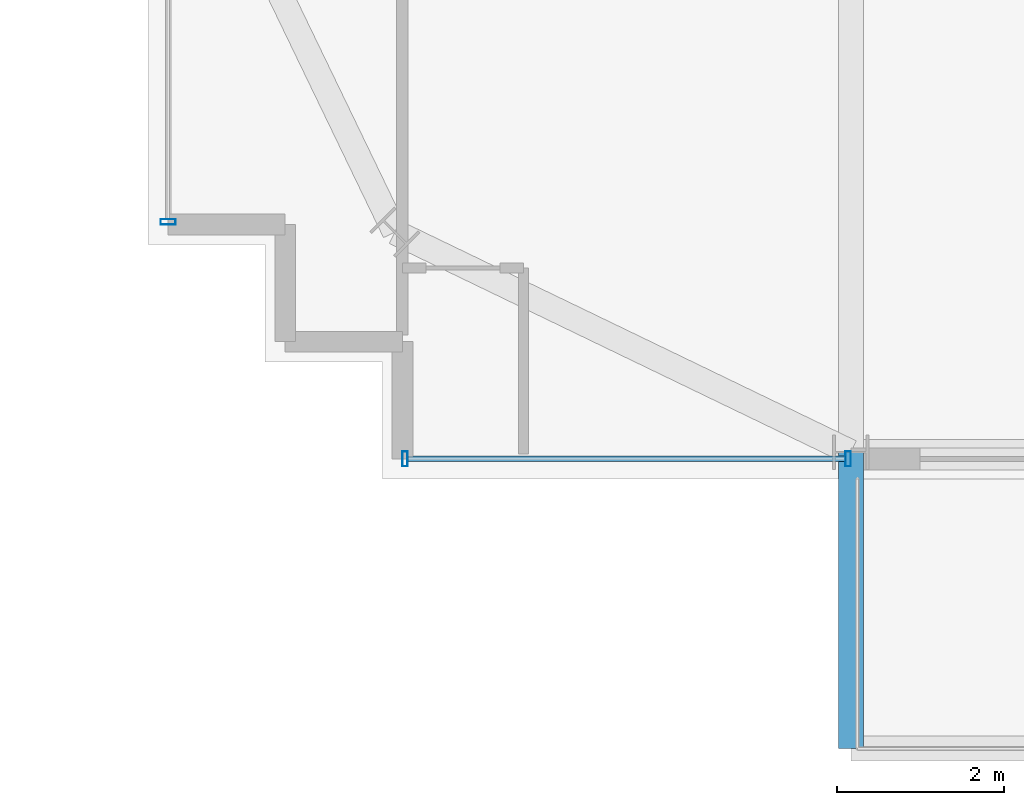
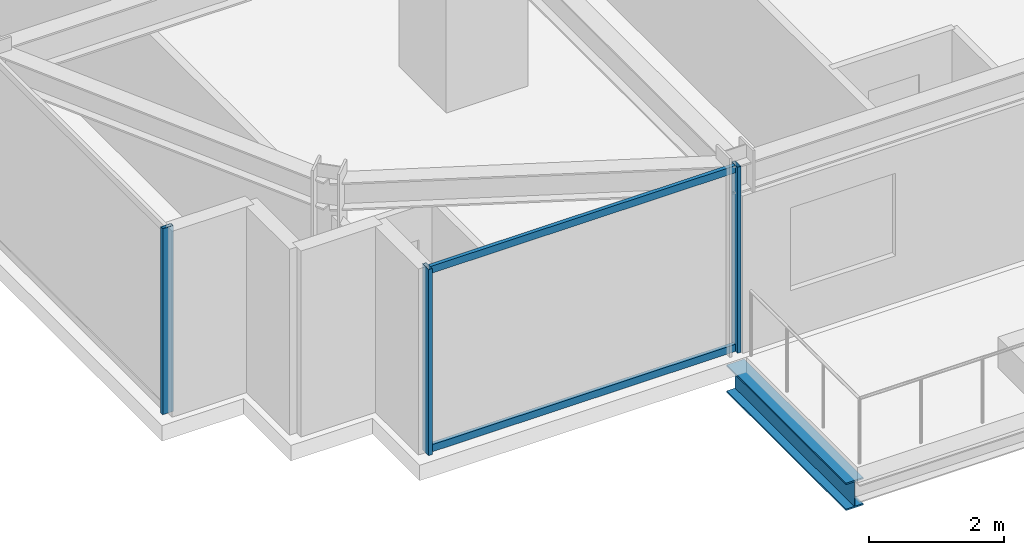
# One storey, part 3 of 37: 5 members, 1 beam, 2 elements without a shape of their own.
"""IFC4 building model written with IfcOpenShell, lengths in metres."""

from ifc_helpers import new_model, si_unit, direction, frame, origin, origin_2d, place, context, subcontext, project, spatial, hollow_rectangle, i_section, extrude, source, transform, mapped, material, material_profile, profile_set, type_object, element, aggregate, save


model = new_model("IFC4")

# Units and contexts
model_context = context("Model", 3, precision=1e-05, world=origin(), true_north=direction((0.0, 1.0)))
body_context = subcontext(model_context, "Body", "Model", "MODEL_VIEW")
ifc_project = project(units=[si_unit("LENGTHUNIT", "METRE"), si_unit("AREAUNIT", "SQUARE_METRE"), si_unit("VOLUMEUNIT", "CUBIC_METRE"), si_unit("PLANEANGLEUNIT", "RADIAN"), si_unit("MASSUNIT", "GRAM", prefix="KILO")], contexts=[model_context])

# Site, building, storey
site_placement = place(None, origin())
site = spatial("IfcSite", under=ifc_project, at=site_placement, CompositionType="ELEMENT")
building_placement = place(site_placement, origin())
building = spatial("IfcBuilding", under=site, at=building_placement, Name="Nahalor Promenade Grand Hotel", CompositionType="ELEMENT")
storey_placement = place(building_placement, frame((0.0, 0.0, 36.050048828125)))
storey = spatial("IfcBuildingStorey", under=building, at=storey_placement, Name="L07", CompositionType="ELEMENT", Elevation=36.050048828125)

# Beam
ifc_material_1 = material(Name="Steel S355JR", Category="steel")
ifc_material_profile_1 = material_profile(ifc_material_1, i_section(OverallWidth=0.3, OverallDepth=0.5, WebThickness=0.0145, FlangeThickness=0.028, at=origin_2d()), Name="HEB 500")
ifc_profile_set_1 = profile_set([ifc_material_profile_1], Name="Steel S355JR")
beam_type = type_object("IfcBeamType", Name="Beam-Outrigger-HEB500", PredefinedType="BEAM", material=ifc_profile_set_1)
shared_shape_1 = source(origin(), body_context, "Body", "SweptSolid", [
    extrude(i_section(OverallWidth=0.3, OverallDepth=0.5, WebThickness=0.0145, FlangeThickness=0.028, at=origin_2d()), origin(), (0.0, 0.0, 1.0), 3.5400390625),
])
beam_placement = place(storey_placement, frame((-17.0, -28.6201171875, -0.530029296875), z_axis=(0.0, 1.0, 0.0), x_axis=(-1.0, 0.0, 0.0)))
element("IfcBeam", 1, at=beam_placement, inside=storey, type_object=beam_type, Name="BM-L07-BC-01-1", PredefinedType="BEAM", context=body_context, shape_type="MappedRepresentation", body=[
    mapped(shared_shape_1, transform((0.0, 0.0, 0.0), scale=1.0)),
])

# Curtain wall, members
ifc_material_2 = material(Name="Anodised Bronze Aluminium EN AW-6063 T6", Category="aluminium")
curtain_wall_type = type_object("IfcCurtainWallType", Name="CW2 Typical Hotel Flush Bronze Unitised Curtain Wall", PredefinedType="USERDEFINED", material=ifc_material_2)
curtain_wall_1_placement = place(storey_placement, origin())
curtain_wall_1 = element("IfcCurtainWall", 2, at=curtain_wall_1_placement, inside=storey, type_object=curtain_wall_type, Name="L07 Curtain Wall CW-L07-S-1", ObjectType="UNITISED_CURTAIN_WALL", PredefinedType="USERDEFINED")
ifc_material_profile_2 = material_profile(ifc_material_2, hollow_rectangle(XDim=0.065, YDim=0.13, WallThickness=0.004, at=origin_2d()), Name="CWT 65x130x4")
ifc_profile_set_2 = profile_set([ifc_material_profile_2], Name="Anodised Bronze Aluminium EN AW-6063 T6")
member_type_1 = type_object("IfcMemberType", Name="CWT2 Typical Bronze Transom 65x130", PredefinedType="USERDEFINED", material=ifc_profile_set_2)
shared_shape_2 = source(origin(), body_context, "Body", "SweptSolid", [
    extrude(hollow_rectangle(XDim=0.065, YDim=0.13, WallThickness=0.004, at=origin_2d()), origin(), (0.0, 0.0, 1.0), 5.22998046875),
])
member_1_placement = place(storey_placement, frame((-22.294921875, -25.159912109375, 0.06494140625), z_axis=(1.0, 0.0, 0.0), x_axis=(0.0, 1.0, 0.0)))
member_1 = element("IfcMember", 3, at=member_1_placement, type_object=member_type_1, Name="CW-L07-S-1 Transom 0-0", ObjectType="TRANSOM", PredefinedType="USERDEFINED", context=body_context, shape_type="MappedRepresentation", body=[
    mapped(shared_shape_2, transform((0.0, 0.0, 0.0), scale=1.0)),
])
member_2_placement = place(storey_placement, frame((-22.294921875, -25.159912109375, 3.304931640625), z_axis=(1.0, 0.0, 0.0), x_axis=(0.0, 1.0, 0.0)))
member_2 = element("IfcMember", 4, at=member_2_placement, type_object=member_type_1, Name="CW-L07-S-1 Transom 0-1", ObjectType="TRANSOM", PredefinedType="USERDEFINED", context=body_context, shape_type="MappedRepresentation", body=[
    mapped(shared_shape_2, transform((0.0, 0.0, 0.0), scale=1.0)),
])
ifc_material_profile_3 = material_profile(ifc_material_2, hollow_rectangle(XDim=0.065, YDim=0.18, WallThickness=0.004, at=origin_2d()), Name="CWM 65x180x4")
ifc_profile_set_3 = profile_set([ifc_material_profile_3], Name="Anodised Bronze Aluminium EN AW-6063 T6")
member_type_2 = type_object("IfcMemberType", Name="CWM2 Typical Bronze Mullion 65x180", PredefinedType="MULLION", material=ifc_profile_set_3)
shared_shape_3 = source(origin(), body_context, "Body", "SweptSolid", [
    extrude(hollow_rectangle(XDim=0.065, YDim=0.18, WallThickness=0.004, at=origin_2d()), origin(), (0.0, 0.0, 1.0), 3.369873046875),
])
member_3_placement = place(storey_placement, frame((-22.327392578125, -25.159912109375, 0.0), z_axis=(0.0, 0.0, 1.0), x_axis=(1.0, 0.0, 0.0)))
member_3 = element("IfcMember", 5, at=member_3_placement, type_object=member_type_2, Name="CW-L07-S-1 Mullion 0", PredefinedType="MULLION", context=body_context, shape_type="MappedRepresentation", body=[
    mapped(shared_shape_3, transform((0.0, 0.0, 0.0), scale=1.0)),
])
member_4_placement = place(storey_placement, frame((-17.032470703125, -25.159912109375, 0.0), z_axis=(0.0, 0.0, 1.0), x_axis=(1.0, 0.0, 0.0)))
member_4 = element("IfcMember", 6, at=member_4_placement, type_object=member_type_2, Name="CW-L07-S-1 Mullion 1", PredefinedType="MULLION", context=body_context, shape_type="MappedRepresentation", body=[
    mapped(shared_shape_3, transform((0.0, 0.0, 0.0), scale=1.0)),
])
aggregate(curtain_wall_1, [member_3, member_4, member_1, member_2])

# Curtain wall, member
curtain_wall_2_placement = place(storey_placement, origin())
curtain_wall_2 = element("IfcCurtainWall", 7, at=curtain_wall_2_placement, inside=storey, type_object=curtain_wall_type, Name="L07 Curtain Wall CW-L07-W-1", ObjectType="UNITISED_CURTAIN_WALL", PredefinedType="USERDEFINED")
member_5_placement = place(storey_placement, frame((-25.159912109375, -22.327392578125, 0.0), z_axis=(0.0, 0.0, 1.0), x_axis=(0.0, 1.0, 0.0)))
member_5 = element("IfcMember", 8, at=member_5_placement, type_object=member_type_2, Name="CW-L07-W-1 Mullion 0", PredefinedType="MULLION", context=body_context, shape_type="MappedRepresentation", body=[
    mapped(shared_shape_3, transform((0.0, 0.0, 0.0), scale=1.0)),
])
aggregate(curtain_wall_2, [member_5])

save(model, "model.ifc")
